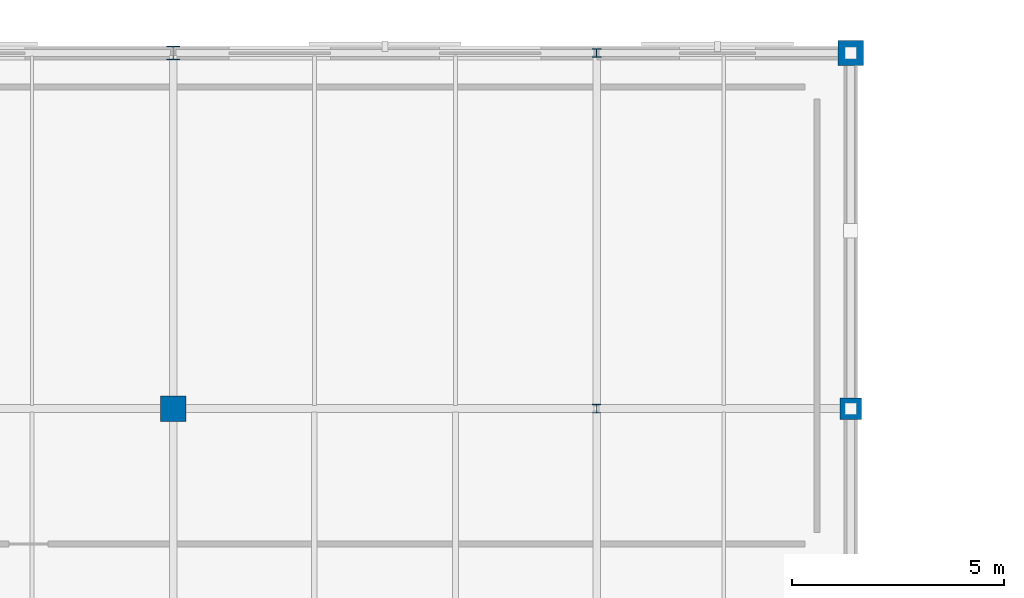
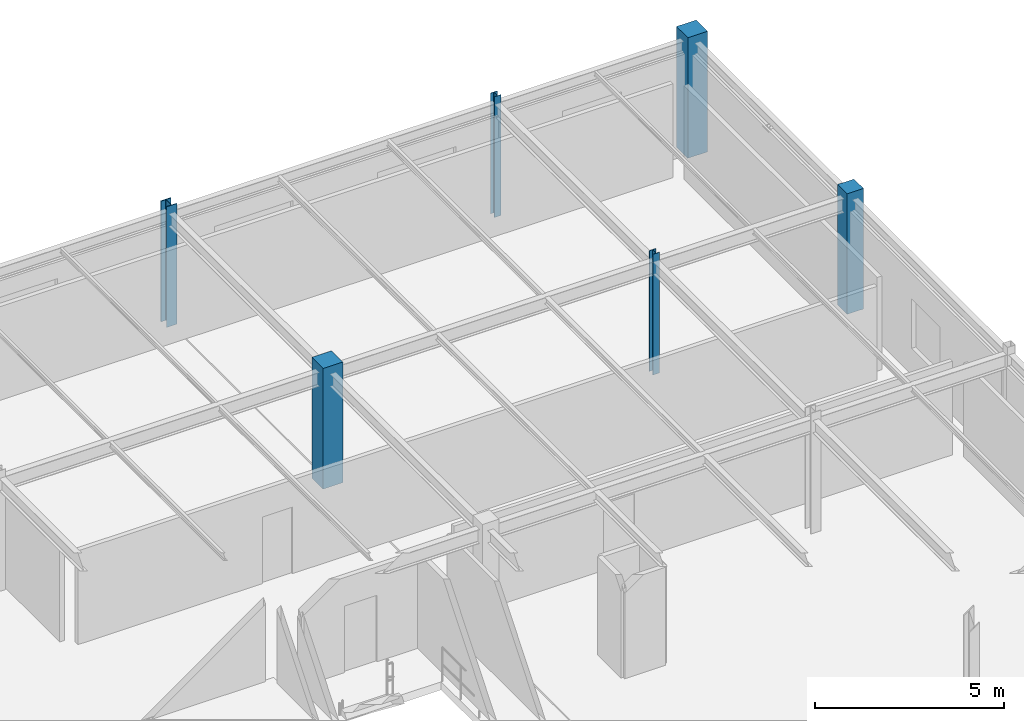
# One storey, part 35 of 98: 6 columns.
"""IFC4 building model written with IfcOpenShell, lengths in metres."""

from ifc_helpers import new_model, si_unit, derived_unit, direction, frame, origin, origin_2d_with_axis, place, context, subcontext, project, spatial, rectangle, i_section, extrude, material, material_profile, profile_set, type_object, element, save


model = new_model("IFC4")

# Units and contexts
model_context = context("Model", 3, precision=1e-05, world=origin(), true_north=direction((0.0, 1.0)))
body_context = subcontext(model_context, "Body", "Model", "MODEL_VIEW")
ifc_project = project(units=[si_unit("LENGTHUNIT", "METRE"), si_unit("AREAUNIT", "SQUARE_METRE"), si_unit("VOLUMEUNIT", "CUBIC_METRE"), si_unit("PLANEANGLEUNIT", "RADIAN"), si_unit("MASSUNIT", "GRAM", prefix="KILO"), derived_unit("THERMALTRANSMITTANCEUNIT", [(si_unit("POWERUNIT", "WATT"), 1), (si_unit("LENGTHUNIT", "METRE"), -2), (si_unit("THERMODYNAMICTEMPERATUREUNIT", "KELVIN"), -1)])], contexts=[model_context])

# Site, building, storey
site_placement = place(None, origin())
site = spatial("IfcSite", under=ifc_project, at=site_placement, CompositionType="ELEMENT")
building_placement = place(site_placement, origin())
building = spatial("IfcBuilding", under=site, at=building_placement, Name="Cinnabar Yard Market Hall", CompositionType="ELEMENT")
storey_placement = place(building_placement, frame((0.0, 0.0, 4.5)))
storey = spatial("IfcBuildingStorey", under=building, at=storey_placement, Name="L01", CompositionType="ELEMENT", Elevation=4.5)

# Columns
ifc_material_1 = material(Name="Steel Grade 350 (350 MPa)", Category="steel")
ifc_material_profile_1 = material_profile(ifc_material_1, i_section(OverallWidth=0.311279296875, OverallDepth=0.3271484375, WebThickness=0.015625, FlangeThickness=0.02490234375, FilletRadius=0.0166015625, at=origin_2d_with_axis()), Name="310UC158")
ifc_profile_set_1 = profile_set([ifc_material_profile_1], Name="Steel Grade 350 (350 MPa)")
column_type_1 = type_object("IfcColumnType", Name="COL-C06E", PredefinedType="COLUMN", material=ifc_profile_set_1)
column_1_placement = place(storey_placement, frame((146.0, 138.0, 0.0), z_axis=(0.0, 0.0, 1.0), x_axis=(1.0, 0.0, 0.0)))
element("IfcColumn", 1, at=column_1_placement, inside=storey, type_object=column_type_1, Name="Wing Column V3-09-05 L01", PredefinedType="COLUMN", context=body_context, shape_type="SweptSolid", body=[
    extrude(i_section(OverallWidth=0.311279296875, OverallDepth=0.3271484375, WebThickness=0.015625, FlangeThickness=0.02490234375, FilletRadius=0.0166015625, at=origin_2d_with_axis()), origin(), (0.0, 0.0, 1.0), 3.89990234375),
])
ifc_material_2 = material(Name="Steel Grade 300 (300 MPa)", Category="steel")
ifc_material_profile_2 = material_profile(ifc_material_2, i_section(OverallWidth=0.203369140625, OverallDepth=0.203369140625, WebThickness=0.00732421875, FlangeThickness=0.010986328125, FilletRadius=0.011474609375, at=origin_2d_with_axis()), Name="200UC46.2")
ifc_profile_set_2 = profile_set([ifc_material_profile_2], Name="Steel Grade 300 (300 MPa)")
column_type_2 = type_object("IfcColumnType", Name="COL-C13", PredefinedType="COLUMN", material=ifc_profile_set_2)
column_2_placement = place(storey_placement, frame((156.0, 129.60009765625, 0.0), z_axis=(0.0, 0.0, 1.0), x_axis=(1.0, 0.0, 0.0)))
element("IfcColumn", 2, at=column_2_placement, inside=storey, type_object=column_type_2, Name="Wing Column V3-10-04 L01", PredefinedType="COLUMN", context=body_context, shape_type="SweptSolid", body=[
    extrude(i_section(OverallWidth=0.203369140625, OverallDepth=0.203369140625, WebThickness=0.00732421875, FlangeThickness=0.010986328125, FilletRadius=0.011474609375, at=origin_2d_with_axis()), origin(), (0.0, 0.0, 1.0), 3.89990234375),
])
ifc_material_profile_3 = material_profile(ifc_material_2, i_section(OverallWidth=0.205078125, OverallDepth=0.209716796875, WebThickness=0.00927734375, FlangeThickness=0.01416015625, FilletRadius=0.011474609375, at=origin_2d_with_axis()), Name="200UC59.5")
ifc_profile_set_3 = profile_set([ifc_material_profile_3], Name="Steel Grade 300 (300 MPa)")
column_type_3 = type_object("IfcColumnType", Name="COL-C17E", PredefinedType="COLUMN", material=ifc_profile_set_3)
column_3_placement = place(storey_placement, frame((156.0, 138.0, 0.0), z_axis=(0.0, 0.0, 1.0), x_axis=(1.0, 0.0, 0.0)))
element("IfcColumn", 3, at=column_3_placement, inside=storey, type_object=column_type_3, Name="Wing Column V3-10-05 L01", PredefinedType="COLUMN", context=body_context, shape_type="SweptSolid", body=[
    extrude(i_section(OverallWidth=0.205078125, OverallDepth=0.209716796875, WebThickness=0.00927734375, FlangeThickness=0.01416015625, FilletRadius=0.011474609375, at=origin_2d_with_axis()), origin(), (0.0, 0.0, 1.0), 3.89990234375),
])
ifc_material_3 = material(Name="Concrete 40 MPa", Category="concrete")
ifc_material_profile_4 = material_profile(ifc_material_3, rectangle(XDim=0.5, YDim=0.5, at=origin_2d_with_axis()), Name="RC-500x500")
ifc_profile_set_4 = profile_set([ifc_material_profile_4], Name="Concrete 40 MPa")
column_type_4 = type_object("IfcColumnType", Name="COL-RC1E", PredefinedType="COLUMN", material=ifc_profile_set_4)
column_4_placement = place(storey_placement, frame((162.0, 129.60009765625, 0.0), z_axis=(0.0, 0.0, 1.0), x_axis=(1.0, 0.0, 0.0)))
element("IfcColumn", 4, at=column_4_placement, inside=storey, type_object=column_type_4, Name="Wing Column V3-11-04 L01", PredefinedType="COLUMN", context=body_context, shape_type="SweptSolid", body=[
    extrude(rectangle(XDim=0.5, YDim=0.5, at=origin_2d_with_axis()), origin(), (0.0, 0.0, 1.0), 3.89990234375),
])
ifc_material_profile_5 = material_profile(ifc_material_3, rectangle(XDim=0.60009765625, YDim=0.60009765625, at=origin_2d_with_axis()), Name="RC-600x600")
ifc_profile_set_5 = profile_set([ifc_material_profile_5], Name="Concrete 40 MPa")
column_type_5 = type_object("IfcColumnType", Name="COL-RC2", PredefinedType="COLUMN", material=ifc_profile_set_5)
column_5_placement = place(storey_placement, frame((146.0, 129.60009765625, 0.0), z_axis=(0.0, 0.0, 1.0), x_axis=(1.0, 0.0, 0.0)))
element("IfcColumn", 5, at=column_5_placement, inside=storey, type_object=column_type_5, Name="Wing Column V3-09-04 L01", PredefinedType="COLUMN", context=body_context, shape_type="SweptSolid", body=[
    extrude(rectangle(XDim=0.60009765625, YDim=0.60009765625, at=origin_2d_with_axis()), origin(), (0.0, 0.0, 1.0), 3.89990234375),
])
ifc_material_profile_6 = material_profile(ifc_material_3, rectangle(XDim=0.60009765625, YDim=0.60009765625, at=origin_2d_with_axis()), Name="RC-600x600")
ifc_profile_set_6 = profile_set([ifc_material_profile_6], Name="Concrete 40 MPa")
column_type_6 = type_object("IfcColumnType", Name="COL-RC2E", PredefinedType="COLUMN", material=ifc_profile_set_6)
column_6_placement = place(storey_placement, frame((162.0, 138.0, 0.0), z_axis=(0.0, 0.0, 1.0), x_axis=(1.0, 0.0, 0.0)))
element("IfcColumn", 6, at=column_6_placement, inside=storey, type_object=column_type_6, Name="Wing Column V3-11-05 L01", PredefinedType="COLUMN", context=body_context, shape_type="SweptSolid", body=[
    extrude(rectangle(XDim=0.60009765625, YDim=0.60009765625, at=origin_2d_with_axis()), origin(), (0.0, 0.0, 1.0), 3.89990234375),
])

save(model, "model.ifc")
